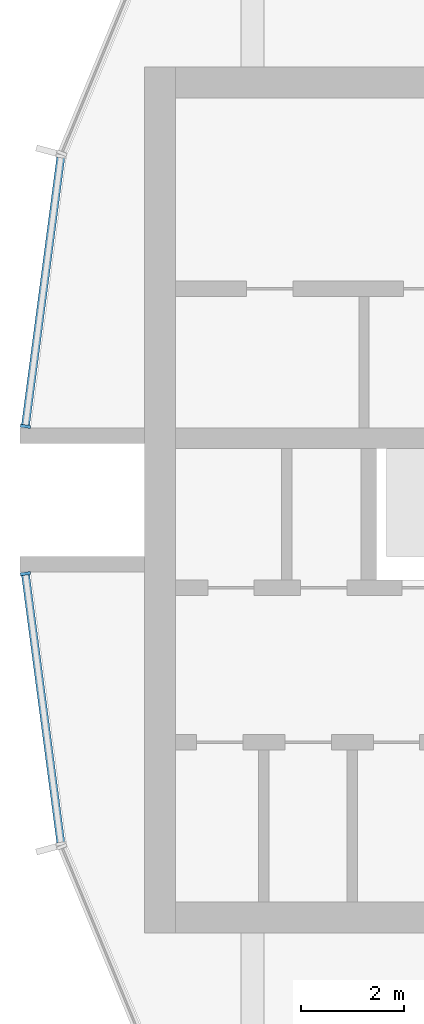
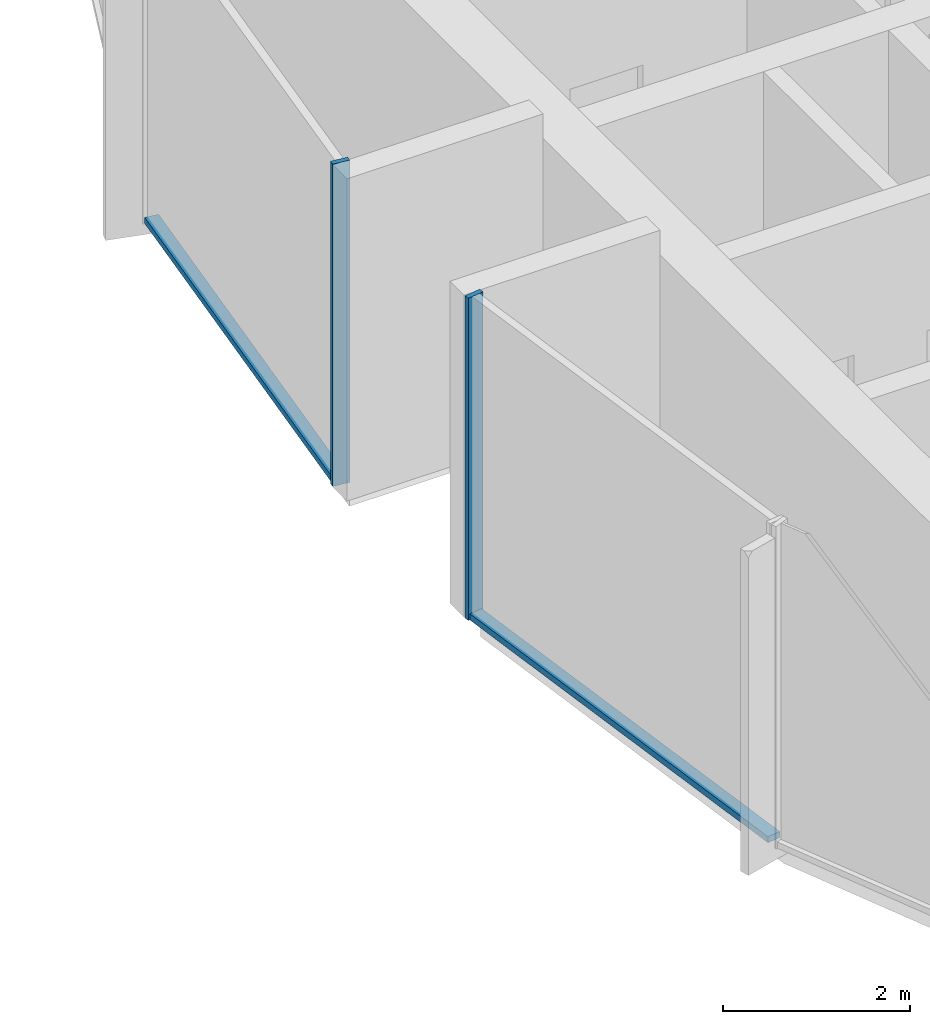
# One storey, part 3 of 15: 4 members, 2 elements without a shape of their own.
"""IFC4 building model written with IfcOpenShell, lengths in metres."""

from ifc_helpers import new_model, si_unit, direction, frame, origin, origin_2d, place, context, subcontext, project, spatial, rectangle, extrude, material, layer, layer_set, material_profile, profile_set, type_object, element, aggregate, save


model = new_model("IFC4")

# Units and contexts
model_context = context("Model", 3, precision=1e-05, world=origin(), true_north=direction((0.0, 1.0)))
body_context = subcontext(model_context, "Body", "Model", "MODEL_VIEW")
ifc_project = project(units=[si_unit("LENGTHUNIT", "METRE"), si_unit("AREAUNIT", "SQUARE_METRE"), si_unit("VOLUMEUNIT", "CUBIC_METRE"), si_unit("PLANEANGLEUNIT", "RADIAN"), si_unit("MASSUNIT", "GRAM", prefix="KILO")], contexts=[model_context])

# Site, building, storey
site_placement = place(None, origin())
site = spatial("IfcSite", under=ifc_project, at=site_placement, CompositionType="ELEMENT")
building_placement = place(site_placement, origin())
building = spatial("IfcBuilding", under=site, at=building_placement, Name="Torre Brocal", CompositionType="ELEMENT")
storey_placement = place(building_placement, frame((0.0, 0.0, 254.10009765625)))
storey = spatial("IfcBuildingStorey", under=building, at=storey_placement, Name="L58", CompositionType="ELEMENT", Elevation=254.10009765625)

# Curtain wall, member
ifc_material_1 = material(Name="Aluminium and glass", Category="aluminium")
ifc_layer = layer(ifc_material_1, 0.199951171875)
ifc_layer_set = layer_set([ifc_layer], Name="Aluminium and glass")
curtain_wall_type = type_object("IfcCurtainWallType", Name="CW-1B CURTAIN WALL 4200 HIGH", PredefinedType="NOTDEFINED", material=ifc_layer_set)
curtain_wall_1_placement = place(storey_placement, origin())
curtain_wall_1 = element("IfcCurtainWall", 1, at=curtain_wall_1_placement, inside=storey, type_object=curtain_wall_type, Name="CW-1B RUN 12", PredefinedType="NOTDEFINED")
ifc_material_2 = material(Name="Aluminium, dark anodised", Category="aluminium")
ifc_material_profile_1 = material_profile(ifc_material_2, rectangle(XDim=0.199951171875, YDim=0.06005859375, at=origin_2d()), Name="CW-1B MULLION 60X200")
ifc_profile_set_1 = profile_set([ifc_material_profile_1], Name="Aluminium, dark anodised")
member_type_1 = type_object("IfcMemberType", Name="CW-1B MULLION 60X200", PredefinedType="MULLION", material=ifc_profile_set_1)
member_1_placement = place(storey_placement, frame((54.2890625, 76.4296875, 0.0), z_axis=(0.0, 0.0, 1.0), x_axis=(0.991444861374, -0.13052619222, 0.0)))
member_1 = element("IfcMember", 2, at=member_1_placement, type_object=member_type_1, Name="CW1B-5 mullion 2", PredefinedType="MULLION", context=body_context, shape_type="SweptSolid", body=[
    extrude(rectangle(XDim=0.199951171875, YDim=0.06005859375, at=origin_2d()), origin(), (0.0, 0.0, 1.0), 4.199951171875),
])

curtain_wall_2_placement = place(storey_placement, origin())
curtain_wall_2 = element("IfcCurtainWall", 3, at=curtain_wall_2_placement, inside=storey, type_object=curtain_wall_type, Name="CW-1B RUN 13", PredefinedType="NOTDEFINED")
member_2_placement = place(storey_placement, frame((54.2890625, 73.5703125, 0.0), z_axis=(0.0, 0.0, 1.0), x_axis=(0.991444861374, 0.13052619222, 0.0)))
member_2 = element("IfcMember", 4, at=member_2_placement, type_object=member_type_1, Name="CW1B-5 mullion 1", PredefinedType="MULLION", context=body_context, shape_type="SweptSolid", body=[
    extrude(rectangle(XDim=0.199951171875, YDim=0.06005859375, at=origin_2d()), origin(), (0.0, 0.0, 1.0), 4.199951171875),
])

# Member
ifc_material_3 = material(Name="Aluminium, dark anodised", Category="aluminium")
ifc_material_profile_2 = material_profile(ifc_material_3, rectangle(XDim=0.159912109375, YDim=0.080078125, at=origin_2d()), Name="CW-1B TRANSOM 160X80")
ifc_profile_set_2 = profile_set([ifc_material_profile_2], Name="Aluminium, dark anodised")
member_type_2 = type_object("IfcMemberType", Name="CW-1B TRANSOM 160X80", PredefinedType="USERDEFINED", material=ifc_profile_set_2)
member_3_placement = place(storey_placement, frame((54.9755859375, 81.643798828125, 0.039794921875), z_axis=(-0.130542677827, -0.991442690863, 0.0), x_axis=(0.991442690863, -0.130542677827, 0.0)))
member_3 = element("IfcMember", 5, at=member_3_placement, type_object=member_type_2, Name="CW1B-5 transom 1.1", ObjectType="TRANSOM", PredefinedType="USERDEFINED", context=body_context, shape_type="SweptSolid", body=[
    extrude(rectangle(XDim=0.159912109375, YDim=0.080078125, at=origin_2d()), origin(), (0.0, 0.0, 1.0), 5.22900390625),
])

aggregate(curtain_wall_1, [member_1, member_3])

member_4_placement = place(storey_placement, frame((54.29296875, 73.54052734375, 0.039794921875), z_axis=(0.130542677827, -0.991442690863, 0.0), x_axis=(0.991442690863, 0.130542677827, 0.0)))
member_4 = element("IfcMember", 6, at=member_4_placement, type_object=member_type_2, Name="CW1B-5 transom 1.1", ObjectType="TRANSOM", PredefinedType="USERDEFINED", context=body_context, shape_type="SweptSolid", body=[
    extrude(rectangle(XDim=0.159912109375, YDim=0.080078125, at=origin_2d()), origin(), (0.0, 0.0, 1.0), 5.22900390625),
])

aggregate(curtain_wall_2, [member_2, member_4])

save(model, "model.ifc")
